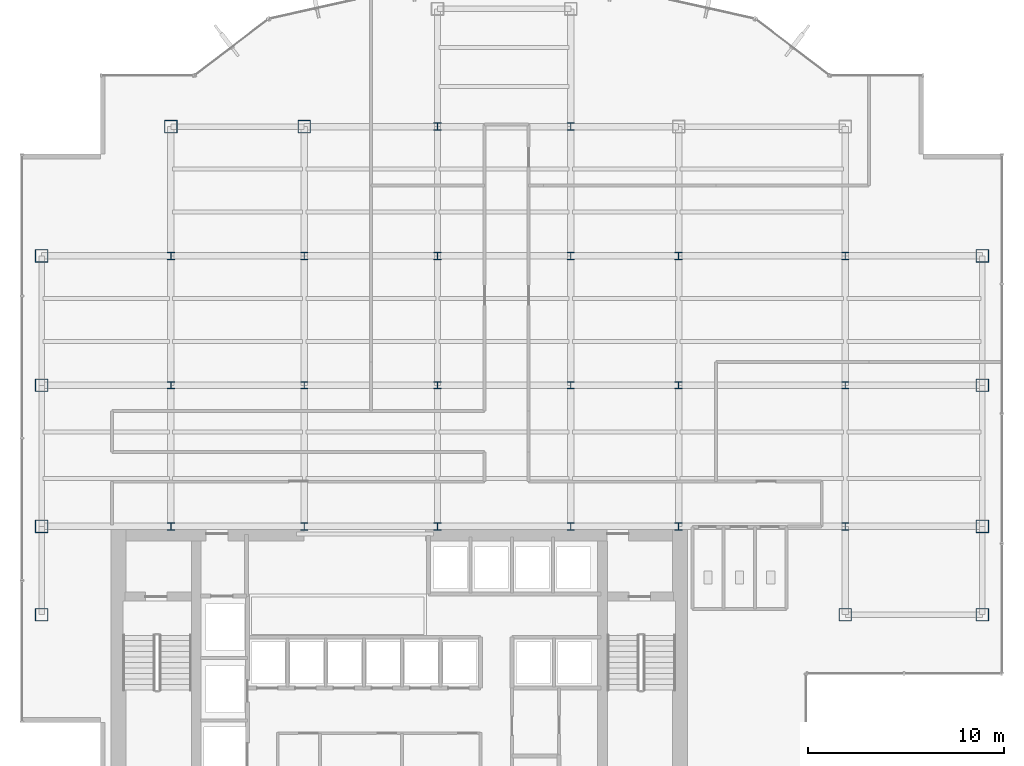
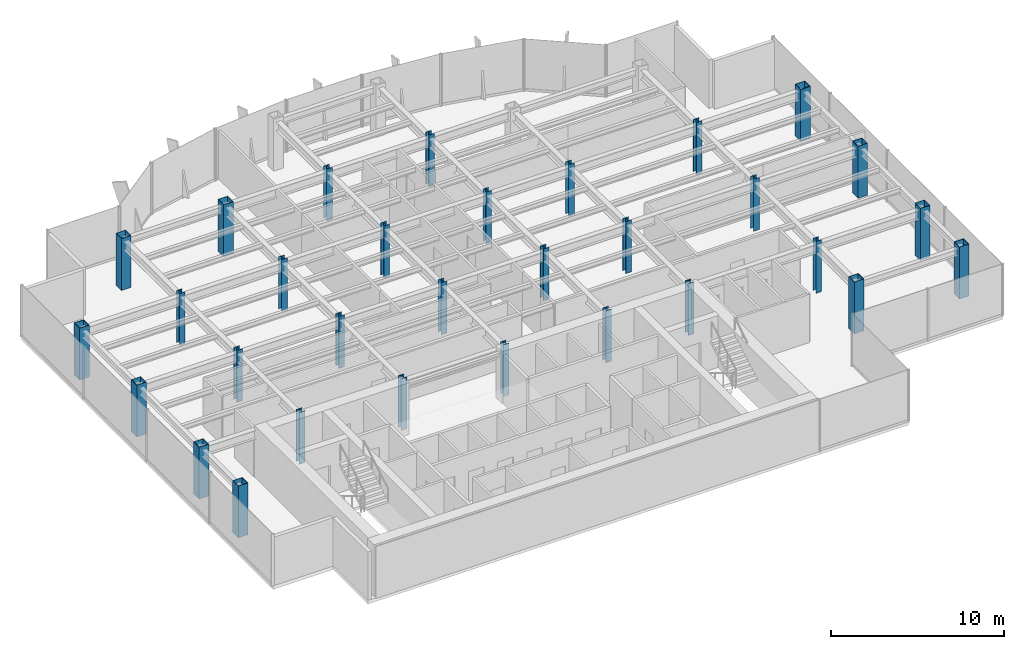
# One storey, part 1 of 25: 31 columns.
"""IFC4 building model written with IfcOpenShell, lengths in metres."""

from ifc_helpers import new_model, si_unit, derived_unit, direction, frame, origin, origin_2d, place, context, subcontext, project, spatial, hollow_rectangle, i_section, extrude, source, transform, mapped, material, material_profile, profile_set, type_object, element, save


model = new_model("IFC4")

# Units and contexts
model_context = context("Model", 3, precision=1e-05, world=origin(), true_north=direction((0.0, 1.0)))
body_context = subcontext(model_context, "Body", "Model", "MODEL_VIEW")
ifc_project = project(units=[si_unit("LENGTHUNIT", "METRE"), si_unit("AREAUNIT", "SQUARE_METRE"), si_unit("VOLUMEUNIT", "CUBIC_METRE"), si_unit("PLANEANGLEUNIT", "RADIAN"), si_unit("MASSUNIT", "GRAM", prefix="KILO"), derived_unit("THERMALTRANSMITTANCEUNIT", [(si_unit("POWERUNIT", "WATT"), 1), (si_unit("LENGTHUNIT", "METRE"), -2), (si_unit("THERMODYNAMICTEMPERATUREUNIT", "KELVIN"), -1)])], contexts=[model_context])

# Site, building, storey
site_placement = place(None, origin())
site = spatial("IfcSite", under=ifc_project, at=site_placement, CompositionType="ELEMENT")
building_placement = place(site_placement, origin())
building = spatial("IfcBuilding", under=site, at=building_placement, Name="Skarnbrae Concourse Arena and Tower", CompositionType="ELEMENT")
storey_placement = place(building_placement, frame((0.0, 0.0, 177.10009765625)))
storey = spatial("IfcBuildingStorey", under=building, at=storey_placement, Name="L45", CompositionType="ELEMENT", Elevation=177.10009765625)

# Columns
ifc_material = material(Name="Steel CSA G40.21 350W", Category="steel")
ifc_material_profile_1 = material_profile(ifc_material, hollow_rectangle(XDim=0.64990234375, YDim=0.64990234375, WallThickness=0.031982421875, at=origin_2d()), Name="BOX650X650X32")
ifc_profile_set_1 = profile_set([ifc_material_profile_1], Name="Steel CSA G40.21 350W")
column_type_1 = type_object("IfcColumnType", Name="COL-TUBE-BOX650", PredefinedType="COLUMN", material=ifc_profile_set_1)
shared_shape_1 = source(origin(), body_context, "Body", "SweptSolid", [
    extrude(hollow_rectangle(XDim=0.64990234375, YDim=0.64990234375, WallThickness=0.031982421875, at=origin_2d()), origin(), (0.0, 0.0, 1.0), 3.64990234375),
])
for number, where, z_axis, x_axis, name in (
    (1, (1.0, 9.5, 0.0), (0.0, 0.0, 1.0), (1.0, 0.0, 0.0), "L45 Tower column PC_01_01"),
    (2, (1.0, 14.0, 0.0), (0.0, 0.0, 1.0), (1.0, 0.0, 0.0), "L45 Tower column PC_01_02"),
    (3, (1.0, 21.199951171875, 0.0), (0.0, 0.0, 1.0), (1.0, 0.0, 0.0), "L45 Tower column PC_01_03"),
    (4, (1.0, 27.800048828125, 0.0), (0.0, 0.0, 1.0), (1.0, 0.0, 0.0), "L45 Tower column PC_01_04"),
    (5, (7.60009765625, 34.39990234375, 0.0), (0.0, 0.0, 1.0), (1.0, 0.0, 0.0), "L45 Tower column PC_02_05"),
    (6, (14.39990234375, 34.39990234375, 0.0), (0.0, 0.0, 1.0), (1.0, 0.0, 0.0), "L45 Tower column PC_03_05"),
    (7, (42.0, 9.5, 0.0), (0.0, 0.0, 1.0), (1.0, 0.0, 0.0), "L45 Tower column PC_07_01"),
    (8, (49.0, 9.5, 0.0), (0.0, 0.0, 1.0), (1.0, 0.0, 0.0), "L45 Tower column PC_08_01"),
    (9, (49.0, 14.0, 0.0), (0.0, 0.0, 1.0), (1.0, 0.0, 0.0), "L45 Tower column PC_08_02"),
    (10, (49.0, 21.199951171875, 0.0), (0.0, 0.0, 1.0), (1.0, 0.0, 0.0), "L45 Tower column PC_08_03"),
    (11, (49.0, 27.800048828125, 0.0), (0.0, 0.0, 1.0), (1.0, 0.0, 0.0), "L45 Tower column PC_08_04"),
):
    element("IfcColumn", number, at=place(storey_placement, frame(where, z_axis=z_axis, x_axis=x_axis)), inside=storey, type_object=column_type_1, Name=name, PredefinedType="COLUMN", context=body_context, shape_type="MappedRepresentation", body=[
        mapped(shared_shape_1, transform((0.0, 0.0, 0.0))),
    ])
ifc_material_profile_2 = material_profile(ifc_material, i_section(OverallWidth=0.3740234375, OverallDepth=0.3720703125, WebThickness=0.016357421875, FlangeThickness=0.026123046875, at=origin_2d()), Name="W360X196")
ifc_profile_set_2 = profile_set([ifc_material_profile_2], Name="Steel CSA G40.21 350W")
column_type_2 = type_object("IfcColumnType", Name="COL-INT-W360X196", PredefinedType="COLUMN", material=ifc_profile_set_2)
shared_shape_2 = source(origin(), body_context, "Body", "SweptSolid", [
    extrude(i_section(OverallWidth=0.3740234375, OverallDepth=0.3720703125, WebThickness=0.016357421875, FlangeThickness=0.026123046875, at=origin_2d()), origin(), (0.0, 0.0, 1.0), 3.64990234375),
])
for number, where, z_axis, x_axis, name in (
    (12, (7.60009765625, 14.0, 0.0), (0.0, 0.0, 1.0), (1.0, 0.0, 0.0), "L45 Tower column IC_02_02"),
    (13, (7.60009765625, 21.199951171875, 0.0), (0.0, 0.0, 1.0), (1.0, 0.0, 0.0), "L45 Tower column IC_02_03"),
    (14, (7.60009765625, 27.800048828125, 0.0), (0.0, 0.0, 1.0), (1.0, 0.0, 0.0), "L45 Tower column IC_02_04"),
    (15, (14.39990234375, 14.0, 0.0), (0.0, 0.0, 1.0), (1.0, 0.0, 0.0), "L45 Tower column IC_03_02"),
    (16, (14.39990234375, 21.199951171875, 0.0), (0.0, 0.0, 1.0), (1.0, 0.0, 0.0), "L45 Tower column IC_03_03"),
    (17, (14.39990234375, 27.800048828125, 0.0), (0.0, 0.0, 1.0), (1.0, 0.0, 0.0), "L45 Tower column IC_03_04"),
    (18, (21.199951171875, 14.0, 0.0), (0.0, 0.0, 1.0), (1.0, 0.0, 0.0), "L45 Tower column IC_04_02"),
    (19, (21.199951171875, 21.199951171875, 0.0), (0.0, 0.0, 1.0), (1.0, 0.0, 0.0), "L45 Tower column IC_04_03"),
    (20, (21.199951171875, 27.800048828125, 0.0), (0.0, 0.0, 1.0), (1.0, 0.0, 0.0), "L45 Tower column IC_04_04"),
    (21, (21.199951171875, 34.39990234375, 0.0), (0.0, 0.0, 1.0), (1.0, 0.0, 0.0), "L45 Tower column IC_04_05"),
    (22, (28.0, 14.0, 0.0), (0.0, 0.0, 1.0), (1.0, 0.0, 0.0), "L45 Tower column IC_05_02"),
    (23, (28.0, 21.199951171875, 0.0), (0.0, 0.0, 1.0), (1.0, 0.0, 0.0), "L45 Tower column IC_05_03"),
    (24, (28.0, 27.800048828125, 0.0), (0.0, 0.0, 1.0), (1.0, 0.0, 0.0), "L45 Tower column IC_05_04"),
    (25, (28.0, 34.39990234375, 0.0), (0.0, 0.0, 1.0), (1.0, 0.0, 0.0), "L45 Tower column IC_05_05"),
    (26, (33.5, 14.0, 0.0), (0.0, 0.0, 1.0), (1.0, 0.0, 0.0), "L45 Tower column IC_06_02"),
    (27, (33.5, 21.199951171875, 0.0), (0.0, 0.0, 1.0), (1.0, 0.0, 0.0), "L45 Tower column IC_06_03"),
    (28, (33.5, 27.800048828125, 0.0), (0.0, 0.0, 1.0), (1.0, 0.0, 0.0), "L45 Tower column IC_06_04"),
    (29, (42.0, 14.0, 0.0), (0.0, 0.0, 1.0), (1.0, 0.0, 0.0), "L45 Tower column IC_07_02"),
    (30, (42.0, 21.199951171875, 0.0), (0.0, 0.0, 1.0), (1.0, 0.0, 0.0), "L45 Tower column IC_07_03"),
    (31, (42.0, 27.800048828125, 0.0), (0.0, 0.0, 1.0), (1.0, 0.0, 0.0), "L45 Tower column IC_07_04"),
):
    element("IfcColumn", number, at=place(storey_placement, frame(where, z_axis=z_axis, x_axis=x_axis)), inside=storey, type_object=column_type_2, Name=name, PredefinedType="COLUMN", context=body_context, shape_type="MappedRepresentation", body=[
        mapped(shared_shape_2, transform((0.0, 0.0, 0.0))),
    ])

save(model, "model.ifc")
